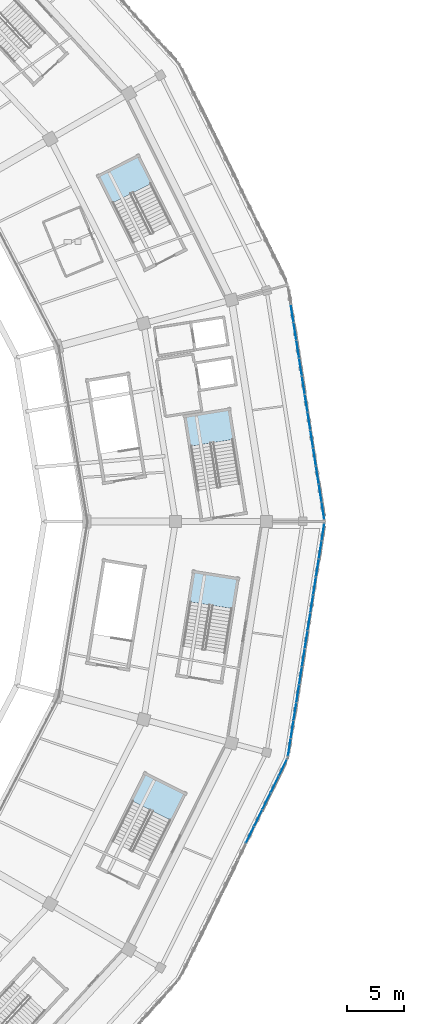
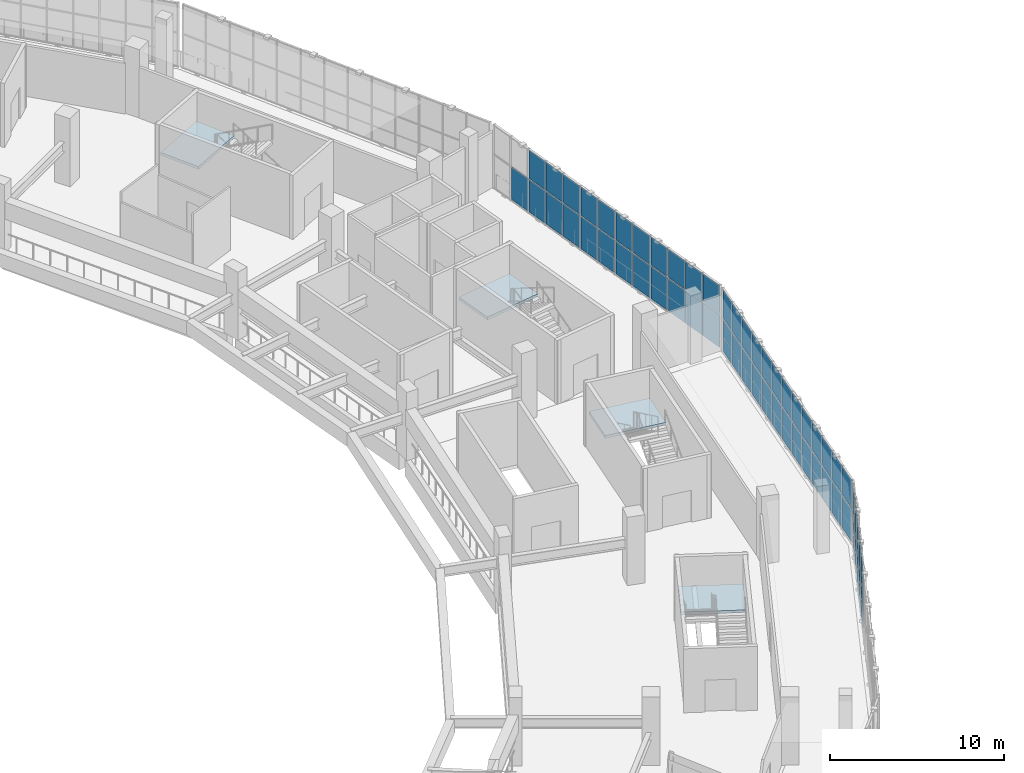
# One storey, part 87 of 179: 59 plates, 4 slabs, 7 elements without a shape of their own.
"""IFC4 building model written with IfcOpenShell, lengths in metres."""

import ifcopenshell
import ifcopenshell.guid

model = None  # the IFC model being written
_history = None  # IfcOwnerHistory: only IFC2X3 demands one
_inside = {}  # id of a spatial element -> (the spatial element, [elements in it])
_under = {}  # id of a project, library or spatial element -> (it, [spatial elements below it])
_declared = {}  # id of a project -> (the project, [libraries it declares])
_typed = {}  # id of a type object -> (the type object, [elements of that type])
_made_of = {}  # id of a material, layer set ... -> (it, [elements and type objects made of it])


def new_model(schema):
    """Start an empty IFC model of exactly this schema.

    Asked for "IFC4X3", IfcOpenShell would pick the latest addendum, in which some entities
    have other attributes; the version numbers below select the first issue.
    IFC2X3 requires an IfcOwnerHistory on every rooted entity: one is made here for all.
    """
    global model, _history
    if schema == "IFC4X3":
        model = ifcopenshell.file(schema_version=(4, 3, 0, 0))
    else:
        model = ifcopenshell.file(schema=schema)
    _inside.clear()
    _under.clear()
    _declared.clear()
    _typed.clear()
    _made_of.clear()
    _history = None
    if model.schema == "IFC2X3":
        org = make("IfcOrganization", Name="unknown")
        user = make(
            "IfcPersonAndOrganization",
            ThePerson=make("IfcPerson", FamilyName="unknown"),
            TheOrganization=org,
        )
        app = make(
            "IfcApplication",
            ApplicationDeveloper=org,
            Version="unknown",
            ApplicationFullName="unknown",
            ApplicationIdentifier="unknown",
        )
        _history = make(
            "IfcOwnerHistory",
            OwningUser=user,
            OwningApplication=app,
            ChangeAction="ADDED",
            CreationDate=0,
        )
    return model


def make(cls, **values):
    """One entity of the class cls with the attributes given. An attribute that is None is left unset."""
    return model.create_entity(
        cls, **{name: value for name, value in values.items() if value is not None}
    )


def rooted(cls, **values):
    """An entity with a GlobalId (a new one), such as an element, a storey or a relation."""
    return make(cls, GlobalId=ifcopenshell.guid.new(), OwnerHistory=_history, **values)


def si_unit(unit_type, name, prefix=None):
    """IfcSIUnit, for example si_unit("LENGTHUNIT", "METRE", prefix="MILLI")."""
    return make("IfcSIUnit", UnitType=unit_type, Prefix=prefix, Name=name)


def assignment(units):
    """IfcUnitAssignment: the units of a project."""
    return None if units is None else make("IfcUnitAssignment", Units=units)


def point(xyz):
    """IfcCartesianPoint."""
    return None if xyz is None else make("IfcCartesianPoint", Coordinates=xyz)


def direction(xyz):
    """IfcDirection."""
    return None if xyz is None else make("IfcDirection", DirectionRatios=xyz)


def frame(location, z_axis=None, x_axis=None):
    """IfcAxis2Placement3D, a coordinate frame: its origin and axes. An axis left out is left unset."""
    return make(
        "IfcAxis2Placement3D",
        Location=point(location),
        Axis=direction(z_axis),
        RefDirection=direction(x_axis),
    )


def frame_2d(location, x_axis=None):
    """IfcAxis2Placement2D, a coordinate frame in the plane: its origin and x axis."""
    return make(
        "IfcAxis2Placement2D", Location=point(location), RefDirection=direction(x_axis)
    )


def origin():
    """The frame at (0, 0, 0) with its axes left unset."""
    return frame((0.0, 0.0, 0.0))


def origin_2d():
    """The frame at (0, 0) in the plane with its x axis left unset."""
    return frame_2d((0.0, 0.0))


def place(relative_to, where):
    """IfcLocalPlacement: puts the frame where relative to a parent placement (None: the world)."""
    return make(
        "IfcLocalPlacement", PlacementRelTo=relative_to, RelativePlacement=where
    )


def context(
    kind, dimensions, precision=None, world=None, true_north=None, identifier=None
):
    """IfcGeometricRepresentationContext, for example the 3D "Model" context."""
    return make(
        "IfcGeometricRepresentationContext",
        ContextIdentifier=identifier,
        ContextType=kind,
        CoordinateSpaceDimension=dimensions,
        Precision=precision,
        WorldCoordinateSystem=world,
        TrueNorth=true_north,
    )


def subcontext(parent, identifier, kind, view, scale=None):
    """IfcGeometricRepresentationSubContext, for example "Body" below "Model"."""
    return make(
        "IfcGeometricRepresentationSubContext",
        ContextIdentifier=identifier,
        ContextType=kind,
        ParentContext=parent,
        TargetScale=scale,
        TargetView=view,
    )


def project(units=None, contexts=None):
    """IfcProject with its units and contexts."""
    return rooted(
        "IfcProject",
        Name="project",
        RepresentationContexts=contexts,
        UnitsInContext=assignment(units),
    )


def spatial(cls, under=None, at=None, **own):
    """A site, building, storey or space (cls), placed at a placement, below another one or the project."""
    s = rooted(cls, ObjectPlacement=at, **own)
    if under is not None:
        _under.setdefault(under.id(), (under, []))[1].append(s)
    return s


def polyline(points):
    """IfcPolyline through the points."""
    return make("IfcPolyline", Points=[point(p) for p in points])


def profile(cls, at=None, kind="AREA", **sizes):
    """A parametric profile (cls). Its sizes go by their IFC names, for example OverallWidth=200.0."""
    return make(cls, ProfileType=kind, Position=at, **sizes)


def rectangle(**sizes):
    """IfcRectangleProfileDef."""
    return profile("IfcRectangleProfileDef", **sizes)


def outline(outer, holes=None, kind="AREA"):
    """IfcArbitraryClosedProfileDef: a profile drawn as a closed curve; with holes, ...WithVoids."""
    if holes is None:
        return make("IfcArbitraryClosedProfileDef", ProfileType=kind, OuterCurve=outer)
    return make(
        "IfcArbitraryProfileDefWithVoids",
        ProfileType=kind,
        OuterCurve=outer,
        InnerCurves=holes,
    )


def extrude(swept, where, along, depth):
    """IfcExtrudedAreaSolid: the profile swept, set in the frame where, extruded along a direction by depth."""
    return make(
        "IfcExtrudedAreaSolid",
        SweptArea=swept,
        Position=where,
        ExtrudedDirection=direction(along),
        Depth=depth,
    )


def shape(context_of_items, identifier, shape_type, items):
    """IfcShapeRepresentation: the items that make up one representation, for example the "Body"."""
    return make(
        "IfcShapeRepresentation",
        ContextOfItems=context_of_items,
        RepresentationIdentifier=identifier,
        RepresentationType=shape_type,
        Items=items,
    )


def material(Name=None, Category=None):
    """IfcMaterial."""
    return make("IfcMaterial", Name=Name, Category=Category)


def layer(
    of_material, thickness, ventilated=None, Name=None, Category=None, Priority=None
):
    """IfcMaterialLayer: one layer of a wall or slab, of a material (None: an air gap)."""
    return make(
        "IfcMaterialLayer",
        Material=of_material,
        LayerThickness=thickness,
        IsVentilated=ventilated,
        Name=Name,
        Category=Category,
        Priority=Priority,
    )


def layer_set(layers, Name=None):
    """IfcMaterialLayerSet."""
    return make("IfcMaterialLayerSet", MaterialLayers=layers, LayerSetName=Name)


def made_of(thing, what):
    """Note that an element or type object is made of a material, layer set ...; save() writes the relation."""
    if what is not None:
        _made_of.setdefault(what.id(), (what, []))[1].append(thing)
    return thing


def type_object(cls, material=None, **own):
    """A type object (cls), such as IfcWallType, which elements share."""
    return made_of(rooted(cls, **own), material)


def element(
    cls,
    number,
    at=None,
    inside=None,
    cuts=None,
    type_object=None,
    material=None,
    context=None,
    identifier="Body",
    shape_type=None,
    held_by="IfcProductDefinitionShape",
    body=None,
    shapes=None,
    **own,
):
    """One element of the class cls, such as IfcWall. Its Tag is "e" and its number.

    at: its placement. inside: the storey or other place that contains it. cuts: it is an
    opening in that element (IfcRelVoidsElement). A single representation is given by context,
    identifier, shape_type and body (its items); several are given by shapes. held_by: the class
    of the entity that holds the representations. save() writes the other relations.
    """
    e = rooted(cls, Tag="e%d" % number, ObjectPlacement=at, **own)
    if body is not None:
        shapes = [shape(context, identifier, shape_type, body)]
    if shapes is not None:
        e.Representation = make(held_by, Representations=shapes)
    if inside is not None:
        _inside.setdefault(inside.id(), (inside, []))[1].append(e)
    if cuts is not None:
        rooted(
            "IfcRelVoidsElement", RelatingBuildingElement=cuts, RelatedOpeningElement=e
        )
    if type_object is not None:
        _typed.setdefault(type_object.id(), (type_object, []))[1].append(e)
    return made_of(e, material)


def aggregate(whole, parts):
    """IfcRelAggregates: a whole, such as a stair, and the parts it consists of."""
    return rooted("IfcRelAggregates", RelatingObject=whole, RelatedObjects=parts)


def save(model, path):
    """Write the relations noted so far, then the file.

    IfcRelAggregates (storeys below a building ...), IfcRelContainedInSpatialStructure (elements
    in a storey), IfcRelDefinesByType, IfcRelAssociatesMaterial and IfcRelDeclares: one each for
    every whole, place, type object, material and project.
    """
    for whole, parts in _under.values():
        aggregate(whole, parts)
    for where, things in _inside.values():
        rooted(
            "IfcRelContainedInSpatialStructure",
            RelatedElements=things,
            RelatingStructure=where,
        )
    for kind, things in _typed.values():
        rooted("IfcRelDefinesByType", RelatedObjects=things, RelatingType=kind)
    for what, things in _made_of.values():
        rooted("IfcRelAssociatesMaterial", RelatedObjects=things, RelatingMaterial=what)
    for by, libraries in _declared.values():
        rooted("IfcRelDeclares", RelatingContext=by, RelatedDefinitions=libraries)
    model.write(path)


model = new_model("IFC4")

# Units and contexts
model_context = context("Model", 3, precision=1e-05, world=origin(), true_north=direction((0.0, 1.0)))
body_context = subcontext(model_context, "Body", "Model", "MODEL_VIEW")
ifc_project = project(units=[si_unit("LENGTHUNIT", "METRE"), si_unit("AREAUNIT", "SQUARE_METRE"), si_unit("VOLUMEUNIT", "CUBIC_METRE"), si_unit("PLANEANGLEUNIT", "RADIAN"), si_unit("MASSUNIT", "GRAM", prefix="KILO")], contexts=[model_context])

# Site, building, storey
site_placement = place(None, origin())
site = spatial("IfcSite", under=ifc_project, at=site_placement, CompositionType="ELEMENT")
building_placement = place(site_placement, origin())
building = spatial("IfcBuilding", under=site, at=building_placement, Name="Zevraka Park Crest Stadium", CompositionType="ELEMENT")
storey_placement = place(building_placement, frame((0.0, 0.0, 10.199951171875)))
storey = spatial("IfcBuildingStorey", under=building, at=storey_placement, Name="L02", CompositionType="ELEMENT", Elevation=10.199951171875)

# Curtain wall, plates
ifc_material_1 = material(Name="Anodised architectural aluminium and laminated safety glass", Category="aluminium")
curtain_wall_type_1 = type_object("IfcCurtainWallType", Name="CW06", PredefinedType="NOTDEFINED", material=ifc_material_1)
curtain_wall_1_placement = place(storey_placement, origin())
curtain_wall_1 = element("IfcCurtainWall", 1, at=curtain_wall_1_placement, inside=storey, type_object=curtain_wall_type_1, Name="Unitised Ring Curtain Wall CW06 L02-00", PredefinedType="NOTDEFINED")
ifc_material_2 = material(Name="Solar-control laminated double glazing", Category="glass")
ifc_layer_1 = layer(ifc_material_2, 0.028076171875)
ifc_layer_set_1 = layer_set([ifc_layer_1], Name="Solar-control laminated double glazing")
plate_type_1 = type_object("IfcPlateType", Name="CP06", PredefinedType="CURTAIN_PANEL", material=ifc_layer_set_1)
plate_1_placement = place(storey_placement, frame((207.27294921875, 92.93408203125, 0.070068359375), z_axis=(0.0, 0.0, 1.0), x_axis=(-0.154274252598, 0.988028063865, 0.0)))
plate_1 = element("IfcPlate", 2, at=plate_1_placement, type_object=plate_type_1, Name="CW06 panel 1.1", PredefinedType="CURTAIN_PANEL", context=body_context, shape_type="SweptSolid", body=[
    extrude(rectangle(XDim=1.49560546875, YDim=0.028076171875, at=origin_2d()), origin(), (0.0, 0.0, 1.0), 2.294921875),
])
plate_2_placement = place(storey_placement, frame((207.27294921875, 92.93408203125, 2.43505859375), z_axis=(0.0, 0.0, 1.0), x_axis=(-0.154274252598, 0.988028063865, 0.0)))
plate_2 = element("IfcPlate", 3, at=plate_2_placement, type_object=plate_type_1, Name="CW06 panel 1.2", PredefinedType="CURTAIN_PANEL", context=body_context, shape_type="SweptSolid", body=[
    extrude(rectangle(XDim=1.49560546875, YDim=0.028076171875, at=origin_2d()), origin(), (0.0, 0.0, 1.0), 1.9951171875),
])
plate_3_placement = place(storey_placement, frame((207.028564453125, 94.498046875, 0.070068359375), z_axis=(0.0, 0.0, 1.0), x_axis=(-0.154274252598, 0.988028063865, 0.0)))
plate_3 = element("IfcPlate", 4, at=plate_3_placement, type_object=plate_type_1, Name="CW06 panel 2.1", PredefinedType="CURTAIN_PANEL", context=body_context, shape_type="SweptSolid", body=[
    extrude(rectangle(XDim=1.530517578125, YDim=0.028076171875, at=origin_2d()), origin(), (0.0, 0.0, 1.0), 2.294921875),
])
plate_4_placement = place(storey_placement, frame((207.028564453125, 94.498046875, 2.43505859375), z_axis=(0.0, 0.0, 1.0), x_axis=(-0.154274252598, 0.988028063865, 0.0)))
plate_4 = element("IfcPlate", 5, at=plate_4_placement, type_object=plate_type_1, Name="CW06 panel 2.2", PredefinedType="CURTAIN_PANEL", context=body_context, shape_type="SweptSolid", body=[
    extrude(rectangle(XDim=1.530517578125, YDim=0.028076171875, at=origin_2d()), origin(), (0.0, 0.0, 1.0), 1.9951171875),
])
plate_5_placement = place(storey_placement, frame((206.78173828125, 96.079345703125, 0.070068359375), z_axis=(0.0, 0.0, 1.0), x_axis=(-0.154274252598, 0.988028063865, 0.0)))
plate_5 = element("IfcPlate", 6, at=plate_5_placement, type_object=plate_type_1, Name="CW06 panel 3.1", PredefinedType="CURTAIN_PANEL", context=body_context, shape_type="SweptSolid", body=[
    extrude(rectangle(XDim=1.530517578125, YDim=0.028076171875, at=origin_2d()), origin(), (0.0, 0.0, 1.0), 2.294921875),
])
plate_6_placement = place(storey_placement, frame((206.78173828125, 96.079345703125, 2.43505859375), z_axis=(0.0, 0.0, 1.0), x_axis=(-0.154274252598, 0.988028063865, 0.0)))
plate_6 = element("IfcPlate", 7, at=plate_6_placement, type_object=plate_type_1, Name="CW06 panel 3.2", PredefinedType="CURTAIN_PANEL", context=body_context, shape_type="SweptSolid", body=[
    extrude(rectangle(XDim=1.530517578125, YDim=0.028076171875, at=origin_2d()), origin(), (0.0, 0.0, 1.0), 1.9951171875),
])
plate_7_placement = place(storey_placement, frame((206.53466796875, 97.660888671875, 0.070068359375), z_axis=(0.0, 0.0, 1.0), x_axis=(-0.154274252598, 0.988028063865, 0.0)))
plate_7 = element("IfcPlate", 8, at=plate_7_placement, type_object=plate_type_1, Name="CW06 panel 4.1", PredefinedType="CURTAIN_PANEL", context=body_context, shape_type="SweptSolid", body=[
    extrude(rectangle(XDim=1.530517578125, YDim=0.028076171875, at=origin_2d()), origin(), (0.0, 0.0, 1.0), 2.294921875),
])
plate_8_placement = place(storey_placement, frame((206.53466796875, 97.660888671875, 2.43505859375), z_axis=(0.0, 0.0, 1.0), x_axis=(-0.154274252598, 0.988028063865, 0.0)))
plate_8 = element("IfcPlate", 9, at=plate_8_placement, type_object=plate_type_1, Name="CW06 panel 4.2", PredefinedType="CURTAIN_PANEL", context=body_context, shape_type="SweptSolid", body=[
    extrude(rectangle(XDim=1.530517578125, YDim=0.028076171875, at=origin_2d()), origin(), (0.0, 0.0, 1.0), 1.9951171875),
])
plate_9_placement = place(storey_placement, frame((206.287841796875, 99.2421875, 0.070068359375), z_axis=(0.0, 0.0, 1.0), x_axis=(-0.154274252598, 0.988028063865, 0.0)))
plate_9 = element("IfcPlate", 10, at=plate_9_placement, type_object=plate_type_1, Name="CW06 panel 5.1", PredefinedType="CURTAIN_PANEL", context=body_context, shape_type="SweptSolid", body=[
    extrude(rectangle(XDim=1.530517578125, YDim=0.028076171875, at=origin_2d()), origin(), (0.0, 0.0, 1.0), 2.294921875),
])
plate_10_placement = place(storey_placement, frame((206.287841796875, 99.2421875, 2.43505859375), z_axis=(0.0, 0.0, 1.0), x_axis=(-0.154274252598, 0.988028063865, 0.0)))
plate_10 = element("IfcPlate", 11, at=plate_10_placement, type_object=plate_type_1, Name="CW06 panel 5.2", PredefinedType="CURTAIN_PANEL", context=body_context, shape_type="SweptSolid", body=[
    extrude(rectangle(XDim=1.530517578125, YDim=0.028076171875, at=origin_2d()), origin(), (0.0, 0.0, 1.0), 1.9951171875),
])
plate_11_placement = place(storey_placement, frame((206.041015625, 100.82373046875, 0.070068359375), z_axis=(0.0, 0.0, 1.0), x_axis=(-0.154274252598, 0.988028063865, 0.0)))
plate_11 = element("IfcPlate", 12, at=plate_11_placement, type_object=plate_type_1, Name="CW06 panel 6.1", PredefinedType="CURTAIN_PANEL", context=body_context, shape_type="SweptSolid", body=[
    extrude(rectangle(XDim=1.530517578125, YDim=0.028076171875, at=origin_2d()), origin(), (0.0, 0.0, 1.0), 2.294921875),
])
plate_12_placement = place(storey_placement, frame((206.041015625, 100.82373046875, 2.43505859375), z_axis=(0.0, 0.0, 1.0), x_axis=(-0.154274252598, 0.988028063865, 0.0)))
plate_12 = element("IfcPlate", 13, at=plate_12_placement, type_object=plate_type_1, Name="CW06 panel 6.2", PredefinedType="CURTAIN_PANEL", context=body_context, shape_type="SweptSolid", body=[
    extrude(rectangle(XDim=1.530517578125, YDim=0.028076171875, at=origin_2d()), origin(), (0.0, 0.0, 1.0), 1.9951171875),
])
plate_13_placement = place(storey_placement, frame((205.7939453125, 102.405029296875, 0.070068359375), z_axis=(0.0, 0.0, 1.0), x_axis=(-0.154274252598, 0.988028063865, 0.0)))
plate_13 = element("IfcPlate", 14, at=plate_13_placement, type_object=plate_type_1, Name="CW06 panel 7.1", PredefinedType="CURTAIN_PANEL", context=body_context, shape_type="SweptSolid", body=[
    extrude(rectangle(XDim=1.530517578125, YDim=0.028076171875, at=origin_2d()), origin(), (0.0, 0.0, 1.0), 2.294921875),
])
plate_14_placement = place(storey_placement, frame((205.7939453125, 102.405029296875, 2.43505859375), z_axis=(0.0, 0.0, 1.0), x_axis=(-0.154274252598, 0.988028063865, 0.0)))
plate_14 = element("IfcPlate", 15, at=plate_14_placement, type_object=plate_type_1, Name="CW06 panel 7.2", PredefinedType="CURTAIN_PANEL", context=body_context, shape_type="SweptSolid", body=[
    extrude(rectangle(XDim=1.530517578125, YDim=0.028076171875, at=origin_2d()), origin(), (0.0, 0.0, 1.0), 1.9951171875),
])
plate_15_placement = place(storey_placement, frame((205.547119140625, 103.986328125, 0.070068359375), z_axis=(0.0, 0.0, 1.0), x_axis=(-0.154274252598, 0.988028063865, 0.0)))
plate_15 = element("IfcPlate", 16, at=plate_15_placement, type_object=plate_type_1, Name="CW06 panel 8.1", PredefinedType="CURTAIN_PANEL", context=body_context, shape_type="SweptSolid", body=[
    extrude(rectangle(XDim=1.530517578125, YDim=0.028076171875, at=origin_2d()), origin(), (0.0, 0.0, 1.0), 2.294921875),
])
plate_16_placement = place(storey_placement, frame((205.547119140625, 103.986328125, 2.43505859375), z_axis=(0.0, 0.0, 1.0), x_axis=(-0.154274252598, 0.988028063865, 0.0)))
plate_16 = element("IfcPlate", 17, at=plate_16_placement, type_object=plate_type_1, Name="CW06 panel 8.2", PredefinedType="CURTAIN_PANEL", context=body_context, shape_type="SweptSolid", body=[
    extrude(rectangle(XDim=1.530517578125, YDim=0.028076171875, at=origin_2d()), origin(), (0.0, 0.0, 1.0), 1.9951171875),
])
plate_17_placement = place(storey_placement, frame((205.300048828125, 105.56787109375, 0.070068359375), z_axis=(0.0, 0.0, 1.0), x_axis=(-0.154274252598, 0.988028063865, 0.0)))
plate_17 = element("IfcPlate", 18, at=plate_17_placement, type_object=plate_type_1, Name="CW06 panel 9.1", PredefinedType="CURTAIN_PANEL", context=body_context, shape_type="SweptSolid", body=[
    extrude(rectangle(XDim=1.530517578125, YDim=0.028076171875, at=origin_2d()), origin(), (0.0, 0.0, 1.0), 2.294921875),
])
plate_18_placement = place(storey_placement, frame((205.300048828125, 105.56787109375, 2.43505859375), z_axis=(0.0, 0.0, 1.0), x_axis=(-0.154274252598, 0.988028063865, 0.0)))
plate_18 = element("IfcPlate", 19, at=plate_18_placement, type_object=plate_type_1, Name="CW06 panel 9.2", PredefinedType="CURTAIN_PANEL", context=body_context, shape_type="SweptSolid", body=[
    extrude(rectangle(XDim=1.530517578125, YDim=0.028076171875, at=origin_2d()), origin(), (0.0, 0.0, 1.0), 1.9951171875),
])
plate_19_placement = place(storey_placement, frame((205.05322265625, 107.149169921875, 0.070068359375), z_axis=(0.0, 0.0, 1.0), x_axis=(-0.154274252598, 0.988028063865, 0.0)))
plate_19 = element("IfcPlate", 20, at=plate_19_placement, type_object=plate_type_1, Name="CW06 panel 10.1", PredefinedType="CURTAIN_PANEL", context=body_context, shape_type="SweptSolid", body=[
    extrude(rectangle(XDim=1.530517578125, YDim=0.028076171875, at=origin_2d()), origin(), (0.0, 0.0, 1.0), 2.294921875),
])
plate_20_placement = place(storey_placement, frame((205.05322265625, 107.149169921875, 2.43505859375), z_axis=(0.0, 0.0, 1.0), x_axis=(-0.154274252598, 0.988028063865, 0.0)))
plate_20 = element("IfcPlate", 21, at=plate_20_placement, type_object=plate_type_1, Name="CW06 panel 10.2", PredefinedType="CURTAIN_PANEL", context=body_context, shape_type="SweptSolid", body=[
    extrude(rectangle(XDim=1.530517578125, YDim=0.028076171875, at=origin_2d()), origin(), (0.0, 0.0, 1.0), 1.9951171875),
])
plate_21_placement = place(storey_placement, frame((204.806396484375, 108.73046875, 0.070068359375), z_axis=(0.0, 0.0, 1.0), x_axis=(-0.154274252598, 0.988028063865, 0.0)))
plate_21 = element("IfcPlate", 22, at=plate_21_placement, type_object=plate_type_1, Name="CW06 panel 11.1", PredefinedType="CURTAIN_PANEL", context=body_context, shape_type="SweptSolid", body=[
    extrude(rectangle(XDim=1.530517578125, YDim=0.028076171875, at=origin_2d()), origin(), (0.0, 0.0, 1.0), 2.294921875),
])
plate_22_placement = place(storey_placement, frame((204.806396484375, 108.73046875, 2.43505859375), z_axis=(0.0, 0.0, 1.0), x_axis=(-0.154274252598, 0.988028063865, 0.0)))
plate_22 = element("IfcPlate", 23, at=plate_22_placement, type_object=plate_type_1, Name="CW06 panel 11.2", PredefinedType="CURTAIN_PANEL", context=body_context, shape_type="SweptSolid", body=[
    extrude(rectangle(XDim=1.530517578125, YDim=0.028076171875, at=origin_2d()), origin(), (0.0, 0.0, 1.0), 1.9951171875),
])
plate_23_placement = place(storey_placement, frame((204.559326171875, 110.31201171875, 0.070068359375), z_axis=(0.0, 0.0, 1.0), x_axis=(-0.154274252598, 0.988028063865, 0.0)))
plate_23 = element("IfcPlate", 24, at=plate_23_placement, type_object=plate_type_1, Name="CW06 panel 12.1", PredefinedType="CURTAIN_PANEL", context=body_context, shape_type="SweptSolid", body=[
    extrude(rectangle(XDim=1.530517578125, YDim=0.028076171875, at=origin_2d()), origin(), (0.0, 0.0, 1.0), 2.294921875),
])
aggregate(curtain_wall_1, [plate_1, plate_2, plate_3, plate_4, plate_5, plate_6, plate_7, plate_8, plate_9, plate_10, plate_11, plate_12, plate_13, plate_14, plate_15, plate_16, plate_17, plate_18, plate_19, plate_20, plate_21, plate_22, plate_23])

curtain_wall_2_placement = place(storey_placement, origin())
curtain_wall_2 = element("IfcCurtainWall", 25, at=curtain_wall_2_placement, inside=storey, type_object=curtain_wall_type_1, Name="Unitised Ring Curtain Wall CW06 L02-23", PredefinedType="NOTDEFINED")
plate_24_placement = place(storey_placement, frame((204.315185546875, 72.1240234375, 0.070068359375), z_axis=(0.0, 0.0, 1.0), x_axis=(0.154274252598, 0.988028063865, 0.0)))
plate_24 = element("IfcPlate", 26, at=plate_24_placement, type_object=plate_type_1, Name="CW06 panel 1.1", PredefinedType="CURTAIN_PANEL", context=body_context, shape_type="SweptSolid", body=[
    extrude(rectangle(XDim=1.49560546875, YDim=0.028076171875, at=origin_2d()), origin(), (0.0, 0.0, 1.0), 2.294921875),
])
plate_25_placement = place(storey_placement, frame((204.315185546875, 72.1240234375, 2.43505859375), z_axis=(0.0, 0.0, 1.0), x_axis=(0.154274252598, 0.988028063865, 0.0)))
plate_25 = element("IfcPlate", 27, at=plate_25_placement, type_object=plate_type_1, Name="CW06 panel 1.2", PredefinedType="CURTAIN_PANEL", context=body_context, shape_type="SweptSolid", body=[
    extrude(rectangle(XDim=1.49560546875, YDim=0.028076171875, at=origin_2d()), origin(), (0.0, 0.0, 1.0), 1.9951171875),
])
plate_26_placement = place(storey_placement, frame((204.559326171875, 73.68798828125, 0.070068359375), z_axis=(0.0, 0.0, 1.0), x_axis=(0.154274252598, 0.988028063865, 0.0)))
plate_26 = element("IfcPlate", 28, at=plate_26_placement, type_object=plate_type_1, Name="CW06 panel 2.1", PredefinedType="CURTAIN_PANEL", context=body_context, shape_type="SweptSolid", body=[
    extrude(rectangle(XDim=1.530517578125, YDim=0.028076171875, at=origin_2d()), origin(), (0.0, 0.0, 1.0), 2.294921875),
])
plate_27_placement = place(storey_placement, frame((204.559326171875, 73.68798828125, 2.43505859375), z_axis=(0.0, 0.0, 1.0), x_axis=(0.154274252598, 0.988028063865, 0.0)))
plate_27 = element("IfcPlate", 29, at=plate_27_placement, type_object=plate_type_1, Name="CW06 panel 2.2", PredefinedType="CURTAIN_PANEL", context=body_context, shape_type="SweptSolid", body=[
    extrude(rectangle(XDim=1.530517578125, YDim=0.028076171875, at=origin_2d()), origin(), (0.0, 0.0, 1.0), 1.9951171875),
])
plate_28_placement = place(storey_placement, frame((204.806396484375, 75.26953125, 0.070068359375), z_axis=(0.0, 0.0, 1.0), x_axis=(0.154274252598, 0.988028063865, 0.0)))
plate_28 = element("IfcPlate", 30, at=plate_28_placement, type_object=plate_type_1, Name="CW06 panel 3.1", PredefinedType="CURTAIN_PANEL", context=body_context, shape_type="SweptSolid", body=[
    extrude(rectangle(XDim=1.530517578125, YDim=0.028076171875, at=origin_2d()), origin(), (0.0, 0.0, 1.0), 2.294921875),
])
plate_29_placement = place(storey_placement, frame((204.806396484375, 75.26953125, 2.43505859375), z_axis=(0.0, 0.0, 1.0), x_axis=(0.154274252598, 0.988028063865, 0.0)))
plate_29 = element("IfcPlate", 31, at=plate_29_placement, type_object=plate_type_1, Name="CW06 panel 3.2", PredefinedType="CURTAIN_PANEL", context=body_context, shape_type="SweptSolid", body=[
    extrude(rectangle(XDim=1.530517578125, YDim=0.028076171875, at=origin_2d()), origin(), (0.0, 0.0, 1.0), 1.9951171875),
])
plate_30_placement = place(storey_placement, frame((205.05322265625, 76.850830078125, 0.070068359375), z_axis=(0.0, 0.0, 1.0), x_axis=(0.154274252598, 0.988028063865, 0.0)))
plate_30 = element("IfcPlate", 32, at=plate_30_placement, type_object=plate_type_1, Name="CW06 panel 4.1", PredefinedType="CURTAIN_PANEL", context=body_context, shape_type="SweptSolid", body=[
    extrude(rectangle(XDim=1.530517578125, YDim=0.028076171875, at=origin_2d()), origin(), (0.0, 0.0, 1.0), 2.294921875),
])
plate_31_placement = place(storey_placement, frame((205.05322265625, 76.850830078125, 2.43505859375), z_axis=(0.0, 0.0, 1.0), x_axis=(0.154274252598, 0.988028063865, 0.0)))
plate_31 = element("IfcPlate", 33, at=plate_31_placement, type_object=plate_type_1, Name="CW06 panel 4.2", PredefinedType="CURTAIN_PANEL", context=body_context, shape_type="SweptSolid", body=[
    extrude(rectangle(XDim=1.530517578125, YDim=0.028076171875, at=origin_2d()), origin(), (0.0, 0.0, 1.0), 1.9951171875),
])
plate_32_placement = place(storey_placement, frame((205.300048828125, 78.43212890625, 0.070068359375), z_axis=(0.0, 0.0, 1.0), x_axis=(0.154274252598, 0.988028063865, 0.0)))
plate_32 = element("IfcPlate", 34, at=plate_32_placement, type_object=plate_type_1, Name="CW06 panel 5.1", PredefinedType="CURTAIN_PANEL", context=body_context, shape_type="SweptSolid", body=[
    extrude(rectangle(XDim=1.530517578125, YDim=0.028076171875, at=origin_2d()), origin(), (0.0, 0.0, 1.0), 2.294921875),
])
plate_33_placement = place(storey_placement, frame((205.300048828125, 78.43212890625, 2.43505859375), z_axis=(0.0, 0.0, 1.0), x_axis=(0.154274252598, 0.988028063865, 0.0)))
plate_33 = element("IfcPlate", 35, at=plate_33_placement, type_object=plate_type_1, Name="CW06 panel 5.2", PredefinedType="CURTAIN_PANEL", context=body_context, shape_type="SweptSolid", body=[
    extrude(rectangle(XDim=1.530517578125, YDim=0.028076171875, at=origin_2d()), origin(), (0.0, 0.0, 1.0), 1.9951171875),
])
plate_34_placement = place(storey_placement, frame((205.547119140625, 80.013671875, 0.070068359375), z_axis=(0.0, 0.0, 1.0), x_axis=(0.154274252598, 0.988028063865, 0.0)))
plate_34 = element("IfcPlate", 36, at=plate_34_placement, type_object=plate_type_1, Name="CW06 panel 6.1", PredefinedType="CURTAIN_PANEL", context=body_context, shape_type="SweptSolid", body=[
    extrude(rectangle(XDim=1.530517578125, YDim=0.028076171875, at=origin_2d()), origin(), (0.0, 0.0, 1.0), 2.294921875),
])
plate_35_placement = place(storey_placement, frame((205.547119140625, 80.013671875, 2.43505859375), z_axis=(0.0, 0.0, 1.0), x_axis=(0.154274252598, 0.988028063865, 0.0)))
plate_35 = element("IfcPlate", 37, at=plate_35_placement, type_object=plate_type_1, Name="CW06 panel 6.2", PredefinedType="CURTAIN_PANEL", context=body_context, shape_type="SweptSolid", body=[
    extrude(rectangle(XDim=1.530517578125, YDim=0.028076171875, at=origin_2d()), origin(), (0.0, 0.0, 1.0), 1.9951171875),
])
plate_36_placement = place(storey_placement, frame((205.7939453125, 81.594970703125, 0.070068359375), z_axis=(0.0, 0.0, 1.0), x_axis=(0.154274252598, 0.988028063865, 0.0)))
plate_36 = element("IfcPlate", 38, at=plate_36_placement, type_object=plate_type_1, Name="CW06 panel 7.1", PredefinedType="CURTAIN_PANEL", context=body_context, shape_type="SweptSolid", body=[
    extrude(rectangle(XDim=1.530517578125, YDim=0.028076171875, at=origin_2d()), origin(), (0.0, 0.0, 1.0), 2.294921875),
])
plate_37_placement = place(storey_placement, frame((205.7939453125, 81.594970703125, 2.43505859375), z_axis=(0.0, 0.0, 1.0), x_axis=(0.154274252598, 0.988028063865, 0.0)))
plate_37 = element("IfcPlate", 39, at=plate_37_placement, type_object=plate_type_1, Name="CW06 panel 7.2", PredefinedType="CURTAIN_PANEL", context=body_context, shape_type="SweptSolid", body=[
    extrude(rectangle(XDim=1.530517578125, YDim=0.028076171875, at=origin_2d()), origin(), (0.0, 0.0, 1.0), 1.9951171875),
])
plate_38_placement = place(storey_placement, frame((206.041015625, 83.17626953125, 0.070068359375), z_axis=(0.0, 0.0, 1.0), x_axis=(0.154274252598, 0.988028063865, 0.0)))
plate_38 = element("IfcPlate", 40, at=plate_38_placement, type_object=plate_type_1, Name="CW06 panel 8.1", PredefinedType="CURTAIN_PANEL", context=body_context, shape_type="SweptSolid", body=[
    extrude(rectangle(XDim=1.530517578125, YDim=0.028076171875, at=origin_2d()), origin(), (0.0, 0.0, 1.0), 2.294921875),
])
plate_39_placement = place(storey_placement, frame((206.041015625, 83.17626953125, 2.43505859375), z_axis=(0.0, 0.0, 1.0), x_axis=(0.154274252598, 0.988028063865, 0.0)))
plate_39 = element("IfcPlate", 41, at=plate_39_placement, type_object=plate_type_1, Name="CW06 panel 8.2", PredefinedType="CURTAIN_PANEL", context=body_context, shape_type="SweptSolid", body=[
    extrude(rectangle(XDim=1.530517578125, YDim=0.028076171875, at=origin_2d()), origin(), (0.0, 0.0, 1.0), 1.9951171875),
])
plate_40_placement = place(storey_placement, frame((206.287841796875, 84.7578125, 0.070068359375), z_axis=(0.0, 0.0, 1.0), x_axis=(0.154274252598, 0.988028063865, 0.0)))
plate_40 = element("IfcPlate", 42, at=plate_40_placement, type_object=plate_type_1, Name="CW06 panel 9.1", PredefinedType="CURTAIN_PANEL", context=body_context, shape_type="SweptSolid", body=[
    extrude(rectangle(XDim=1.530517578125, YDim=0.028076171875, at=origin_2d()), origin(), (0.0, 0.0, 1.0), 2.294921875),
])
plate_41_placement = place(storey_placement, frame((206.287841796875, 84.7578125, 2.43505859375), z_axis=(0.0, 0.0, 1.0), x_axis=(0.154274252598, 0.988028063865, 0.0)))
plate_41 = element("IfcPlate", 43, at=plate_41_placement, type_object=plate_type_1, Name="CW06 panel 9.2", PredefinedType="CURTAIN_PANEL", context=body_context, shape_type="SweptSolid", body=[
    extrude(rectangle(XDim=1.530517578125, YDim=0.028076171875, at=origin_2d()), origin(), (0.0, 0.0, 1.0), 1.9951171875),
])
plate_42_placement = place(storey_placement, frame((206.53466796875, 86.339111328125, 0.070068359375), z_axis=(0.0, 0.0, 1.0), x_axis=(0.154274252598, 0.988028063865, 0.0)))
plate_42 = element("IfcPlate", 44, at=plate_42_placement, type_object=plate_type_1, Name="CW06 panel 10.1", PredefinedType="CURTAIN_PANEL", context=body_context, shape_type="SweptSolid", body=[
    extrude(rectangle(XDim=1.530517578125, YDim=0.028076171875, at=origin_2d()), origin(), (0.0, 0.0, 1.0), 2.294921875),
])
plate_43_placement = place(storey_placement, frame((206.53466796875, 86.339111328125, 2.43505859375), z_axis=(0.0, 0.0, 1.0), x_axis=(0.154274252598, 0.988028063865, 0.0)))
plate_43 = element("IfcPlate", 45, at=plate_43_placement, type_object=plate_type_1, Name="CW06 panel 10.2", PredefinedType="CURTAIN_PANEL", context=body_context, shape_type="SweptSolid", body=[
    extrude(rectangle(XDim=1.530517578125, YDim=0.028076171875, at=origin_2d()), origin(), (0.0, 0.0, 1.0), 1.9951171875),
])
plate_44_placement = place(storey_placement, frame((206.78173828125, 87.920654296875, 0.070068359375), z_axis=(0.0, 0.0, 1.0), x_axis=(0.154274252598, 0.988028063865, 0.0)))
plate_44 = element("IfcPlate", 46, at=plate_44_placement, type_object=plate_type_1, Name="CW06 panel 11.1", PredefinedType="CURTAIN_PANEL", context=body_context, shape_type="SweptSolid", body=[
    extrude(rectangle(XDim=1.530517578125, YDim=0.028076171875, at=origin_2d()), origin(), (0.0, 0.0, 1.0), 2.294921875),
])
plate_45_placement = place(storey_placement, frame((206.78173828125, 87.920654296875, 2.43505859375), z_axis=(0.0, 0.0, 1.0), x_axis=(0.154274252598, 0.988028063865, 0.0)))
plate_45 = element("IfcPlate", 47, at=plate_45_placement, type_object=plate_type_1, Name="CW06 panel 11.2", PredefinedType="CURTAIN_PANEL", context=body_context, shape_type="SweptSolid", body=[
    extrude(rectangle(XDim=1.530517578125, YDim=0.028076171875, at=origin_2d()), origin(), (0.0, 0.0, 1.0), 1.9951171875),
])
plate_46_placement = place(storey_placement, frame((207.028564453125, 89.501953125, 0.070068359375), z_axis=(0.0, 0.0, 1.0), x_axis=(0.154274252598, 0.988028063865, 0.0)))
plate_46 = element("IfcPlate", 48, at=plate_46_placement, type_object=plate_type_1, Name="CW06 panel 12.1", PredefinedType="CURTAIN_PANEL", context=body_context, shape_type="SweptSolid", body=[
    extrude(rectangle(XDim=1.530517578125, YDim=0.028076171875, at=origin_2d()), origin(), (0.0, 0.0, 1.0), 2.294921875),
])
plate_47_placement = place(storey_placement, frame((207.028564453125, 89.501953125, 2.43505859375), z_axis=(0.0, 0.0, 1.0), x_axis=(0.154274252598, 0.988028063865, 0.0)))
plate_47 = element("IfcPlate", 49, at=plate_47_placement, type_object=plate_type_1, Name="CW06 panel 12.2", PredefinedType="CURTAIN_PANEL", context=body_context, shape_type="SweptSolid", body=[
    extrude(rectangle(XDim=1.530517578125, YDim=0.028076171875, at=origin_2d()), origin(), (0.0, 0.0, 1.0), 1.9951171875),
])
plate_48_placement = place(storey_placement, frame((207.27294921875, 91.06591796875, 0.070068359375), z_axis=(0.0, 0.0, 1.0), x_axis=(0.154274252598, 0.988028063865, 0.0)))
plate_48 = element("IfcPlate", 50, at=plate_48_placement, type_object=plate_type_1, Name="CW06 panel 13.1", PredefinedType="CURTAIN_PANEL", context=body_context, shape_type="SweptSolid", body=[
    extrude(rectangle(XDim=1.49560546875, YDim=0.028076171875, at=origin_2d()), origin(), (0.0, 0.0, 1.0), 2.294921875),
])
plate_49_placement = place(storey_placement, frame((207.27294921875, 91.06591796875, 2.43505859375), z_axis=(0.0, 0.0, 1.0), x_axis=(0.154274252598, 0.988028063865, 0.0)))
plate_49 = element("IfcPlate", 51, at=plate_49_placement, type_object=plate_type_1, Name="CW06 panel 13.2", PredefinedType="CURTAIN_PANEL", context=body_context, shape_type="SweptSolid", body=[
    extrude(rectangle(XDim=1.49560546875, YDim=0.028076171875, at=origin_2d()), origin(), (0.0, 0.0, 1.0), 1.9951171875),
])
aggregate(curtain_wall_2, [plate_24, plate_25, plate_26, plate_27, plate_28, plate_29, plate_30, plate_31, plate_32, plate_33, plate_34, plate_35, plate_36, plate_37, plate_38, plate_39, plate_40, plate_41, plate_42, plate_43, plate_44, plate_45, plate_46, plate_47, plate_48, plate_49])

ifc_material_3 = material(Name="Anodised architectural aluminium and laminated safety glass", Category="aluminium")
curtain_wall_type_2 = type_object("IfcCurtainWallType", Name="CW07", PredefinedType="NOTDEFINED", material=ifc_material_3)
curtain_wall_3_placement = place(storey_placement, origin())
curtain_wall_3 = element("IfcCurtainWall", 52, at=curtain_wall_3_placement, inside=storey, type_object=curtain_wall_type_2, Name="Unitised Ring Curtain Wall CW07 L02-22", PredefinedType="NOTDEFINED")
ifc_material_4 = material(Name="Solar-control laminated double glazing", Category="glass")
ifc_layer_2 = layer(ifc_material_4, 0.028076171875)
ifc_layer_set_2 = layer_set([ifc_layer_2], Name="Solar-control laminated double glazing")
plate_type_2 = type_object("IfcPlateType", Name="CP07", PredefinedType="CURTAIN_PANEL", material=ifc_layer_set_2)
plate_50_placement = place(storey_placement, frame((200.852294921875, 64.44140625, 0.06005859375), z_axis=(0.0, 0.0, 1.0), x_axis=(0.441021032455, 0.897496768201, 0.0)))
plate_50 = element("IfcPlate", 53, at=plate_50_placement, type_object=plate_type_2, Name="CW07 panel 9.1", PredefinedType="CURTAIN_PANEL", context=body_context, shape_type="SweptSolid", body=[
    extrude(rectangle(XDim=1.58251953125, YDim=0.028076171875, at=origin_2d()), origin(), (0.0, 0.0, 1.0), 2.31005859375),
])
plate_51_placement = place(storey_placement, frame((200.852294921875, 64.44140625, 2.43017578125), z_axis=(0.0, 0.0, 1.0), x_axis=(0.441021032455, 0.897496768201, 0.0)))
plate_51 = element("IfcPlate", 54, at=plate_51_placement, type_object=plate_type_2, Name="CW07 panel 9.2", PredefinedType="CURTAIN_PANEL", context=body_context, shape_type="SweptSolid", body=[
    extrude(rectangle(XDim=1.58251953125, YDim=0.028076171875, at=origin_2d()), origin(), (0.0, 0.0, 1.0), 2.010009765625),
])
plate_52_placement = place(storey_placement, frame((201.57666015625, 65.91552734375, 0.06005859375), z_axis=(0.0, 0.0, 1.0), x_axis=(0.441021032455, 0.897496768201, 0.0)))
plate_52 = element("IfcPlate", 55, at=plate_52_placement, type_object=plate_type_2, Name="CW07 panel 10.1", PredefinedType="CURTAIN_PANEL", context=body_context, shape_type="SweptSolid", body=[
    extrude(rectangle(XDim=1.58251953125, YDim=0.028076171875, at=origin_2d()), origin(), (0.0, 0.0, 1.0), 2.31005859375),
])
plate_53_placement = place(storey_placement, frame((201.57666015625, 65.91552734375, 2.43017578125), z_axis=(0.0, 0.0, 1.0), x_axis=(0.441021032455, 0.897496768201, 0.0)))
plate_53 = element("IfcPlate", 56, at=plate_53_placement, type_object=plate_type_2, Name="CW07 panel 10.2", PredefinedType="CURTAIN_PANEL", context=body_context, shape_type="SweptSolid", body=[
    extrude(rectangle(XDim=1.58251953125, YDim=0.028076171875, at=origin_2d()), origin(), (0.0, 0.0, 1.0), 2.010009765625),
])
plate_54_placement = place(storey_placement, frame((202.301025390625, 67.3896484375, 0.06005859375), z_axis=(0.0, 0.0, 1.0), x_axis=(0.441021032455, 0.897496768201, 0.0)))
plate_54 = element("IfcPlate", 57, at=plate_54_placement, type_object=plate_type_2, Name="CW07 panel 11.1", PredefinedType="CURTAIN_PANEL", context=body_context, shape_type="SweptSolid", body=[
    extrude(rectangle(XDim=1.58251953125, YDim=0.028076171875, at=origin_2d()), origin(), (0.0, 0.0, 1.0), 2.31005859375),
])
plate_55_placement = place(storey_placement, frame((202.301025390625, 67.3896484375, 2.43017578125), z_axis=(0.0, 0.0, 1.0), x_axis=(0.441021032455, 0.897496768201, 0.0)))
plate_55 = element("IfcPlate", 58, at=plate_55_placement, type_object=plate_type_2, Name="CW07 panel 11.2", PredefinedType="CURTAIN_PANEL", context=body_context, shape_type="SweptSolid", body=[
    extrude(rectangle(XDim=1.58251953125, YDim=0.028076171875, at=origin_2d()), origin(), (0.0, 0.0, 1.0), 2.010009765625),
])
plate_56_placement = place(storey_placement, frame((203.025390625, 68.86376953125, 0.06005859375), z_axis=(0.0, 0.0, 1.0), x_axis=(0.441021032455, 0.897496768201, 0.0)))
plate_56 = element("IfcPlate", 59, at=plate_56_placement, type_object=plate_type_2, Name="CW07 panel 12.1", PredefinedType="CURTAIN_PANEL", context=body_context, shape_type="SweptSolid", body=[
    extrude(rectangle(XDim=1.58251953125, YDim=0.028076171875, at=origin_2d()), origin(), (0.0, 0.0, 1.0), 2.31005859375),
])
plate_57_placement = place(storey_placement, frame((203.025390625, 68.86376953125, 2.43017578125), z_axis=(0.0, 0.0, 1.0), x_axis=(0.441021032455, 0.897496768201, 0.0)))
plate_57 = element("IfcPlate", 60, at=plate_57_placement, type_object=plate_type_2, Name="CW07 panel 12.2", PredefinedType="CURTAIN_PANEL", context=body_context, shape_type="SweptSolid", body=[
    extrude(rectangle(XDim=1.58251953125, YDim=0.028076171875, at=origin_2d()), origin(), (0.0, 0.0, 1.0), 2.010009765625),
])
plate_58_placement = place(storey_placement, frame((203.7431640625, 70.324462890625, 0.06005859375), z_axis=(0.0, 0.0, 1.0), x_axis=(0.441021032455, 0.897496768201, 0.0)))
plate_58 = element("IfcPlate", 61, at=plate_58_placement, type_object=plate_type_2, Name="CW07 panel 13.1", PredefinedType="CURTAIN_PANEL", context=body_context, shape_type="SweptSolid", body=[
    extrude(rectangle(XDim=1.552490234375, YDim=0.028076171875, at=origin_2d()), origin(), (0.0, 0.0, 1.0), 2.31005859375),
])
plate_59_placement = place(storey_placement, frame((203.7431640625, 70.324462890625, 2.43017578125), z_axis=(0.0, 0.0, 1.0), x_axis=(0.441021032455, 0.897496768201, 0.0)))
plate_59 = element("IfcPlate", 62, at=plate_59_placement, type_object=plate_type_2, Name="CW07 panel 13.2", PredefinedType="CURTAIN_PANEL", context=body_context, shape_type="SweptSolid", body=[
    extrude(rectangle(XDim=1.552490234375, YDim=0.028076171875, at=origin_2d()), origin(), (0.0, 0.0, 1.0), 2.010009765625),
])
aggregate(curtain_wall_3, [plate_50, plate_51, plate_52, plate_53, plate_54, plate_55, plate_56, plate_57, plate_58, plate_59])

# Stair, slab
ifc_material_5 = material(Name="Concrete C35/45", Category="concrete")
stair_type = type_object("IfcStairType", Name="STA2", PredefinedType="HALF_TURN_STAIR", material=ifc_material_5)
stair_1_placement = place(storey_placement, origin())
stair_1 = element("IfcStair", 63, at=stair_1_placement, inside=storey, type_object=stair_type, Name="L02 Protected Concourse Exit Stair ST01", PredefinedType="HALF_TURN_STAIR")
ifc_material_6 = material(Name="Concrete C35/45", Category="concrete")
ifc_layer_3 = layer(ifc_material_6, 0.199951171875)
ifc_layer_set_3 = layer_set([ifc_layer_3], Name="Concrete C35/45")
slab_type = type_object("IfcSlabType", Name="LS01", PredefinedType="LANDING", material=ifc_layer_set_3)
slab_1_placement = place(storey_placement, frame((0.0, 0.0, 2.199951171875)))
slab_1 = element("IfcSlab", 64, at=slab_1_placement, type_object=slab_type, Name="ST01 landing 1", PredefinedType="LANDING", context=body_context, shape_type="SweptSolid", body=[
    extrude(outline(polyline([(199.355224609375, 99.205810546875), (198.94482421875, 101.783447265625), (195.2314453125, 101.192138671875), (195.64208984375, 98.614501953125), (199.355224609375, 99.205810546875)])), origin(), (0.0, 0.0, 1.0), 0.2001953125),
])
aggregate(stair_1, [slab_1])

stair_2_placement = place(storey_placement, origin())
stair_2 = element("IfcStair", 65, at=stair_2_placement, inside=storey, type_object=stair_type, Name="L02 Protected Concourse Exit Stair ST02", PredefinedType="HALF_TURN_STAIR")
slab_2_placement = place(storey_placement, frame((0.0, 0.0, 2.199951171875)))
slab_2 = element("IfcSlab", 66, at=slab_2_placement, type_object=slab_type, Name="ST02 landing 1", PredefinedType="LANDING", context=body_context, shape_type="SweptSolid", body=[
    extrude(outline(polyline([(192.146484375, 121.719970703125), (190.977294921875, 124.053466796875), (187.61572265625, 122.369140625), (188.78466796875, 120.03564453125), (192.146484375, 121.719970703125)])), origin(), (0.0, 0.0, 1.0), 0.2001953125),
])
aggregate(stair_2, [slab_2])

stair_3_placement = place(storey_placement, origin())
stair_3 = element("IfcStair", 67, at=stair_3_placement, inside=storey, type_object=stair_type, Name="L02 Protected Concourse Exit Stair ST23", PredefinedType="HALF_TURN_STAIR")
slab_3_placement = place(storey_placement, frame((0.0, 0.0, 2.199951171875)))
slab_3 = element("IfcSlab", 68, at=slab_3_placement, type_object=slab_type, Name="ST23 landing 1", PredefinedType="LANDING", context=body_context, shape_type="SweptSolid", body=[
    extrude(outline(polyline([(193.861572265625, 65.703857421875), (195.030517578125, 68.037353515625), (191.6689453125, 69.721435546875), (190.499755859375, 67.387939453125), (193.861572265625, 65.703857421875)])), origin(), (0.0, 0.0, 1.0), 0.2001953125),
])
aggregate(stair_3, [slab_3])

stair_4_placement = place(storey_placement, origin())
stair_4 = element("IfcStair", 69, at=stair_4_placement, inside=storey, type_object=stair_type, Name="L02 Protected Concourse Exit Stair ST24", PredefinedType="HALF_TURN_STAIR")
slab_4_placement = place(storey_placement, frame((0.0, 0.0, 2.199951171875)))
slab_4 = element("IfcSlab", 70, at=slab_4_placement, type_object=slab_type, Name="ST24 landing 1", PredefinedType="LANDING", context=body_context, shape_type="SweptSolid", body=[
    extrude(outline(polyline([(199.28173828125, 84.329833984375), (199.692138671875, 86.907470703125), (195.97900390625, 87.498779296875), (195.568603515625, 84.921142578125), (199.28173828125, 84.329833984375)])), origin(), (0.0, 0.0, 1.0), 0.2001953125),
])
aggregate(stair_4, [slab_4])

save(model, "model.ifc")
